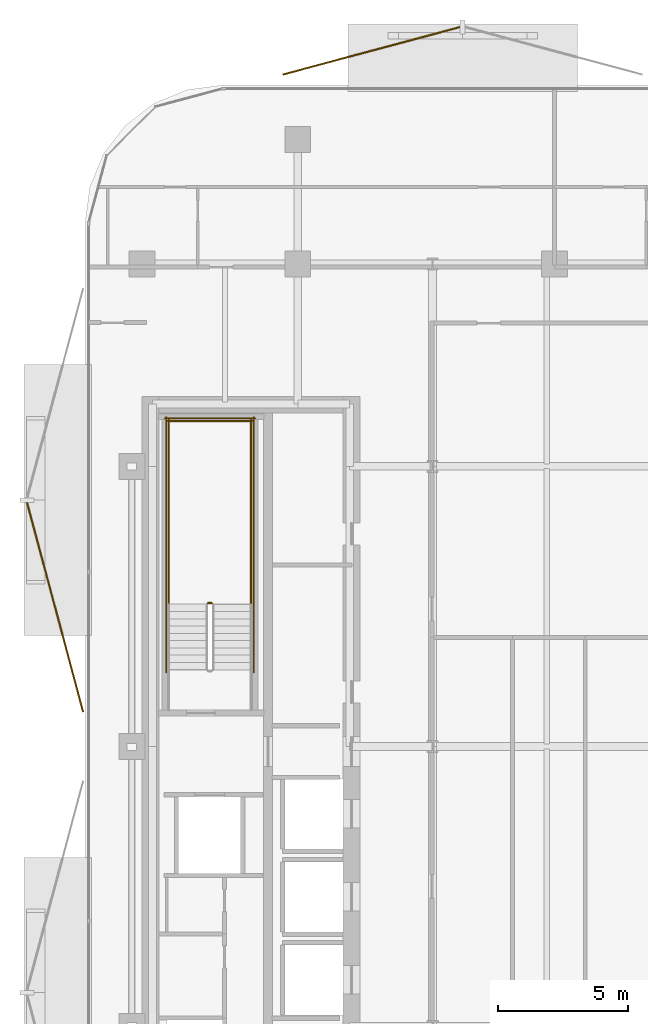
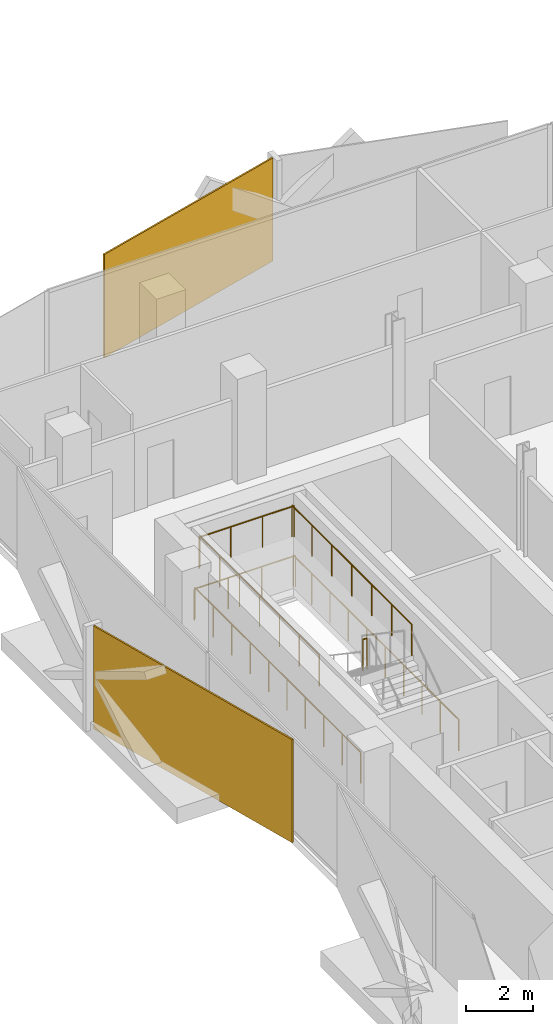
# One storey, part 16 of 17: 7 railings, 2 coverings.
"""IFC4 building model written with IfcOpenShell, lengths in metres."""

from ifc_helpers import new_model, si_unit, direction, frame, origin, origin_2d, place, context, subcontext, project, spatial, rectangle, circle, extrude, material, layer, layer_set, type_object, element, save


model = new_model("IFC4")

# Units and contexts
model_context = context("Model", 3, precision=1e-05, world=origin(), true_north=direction((0.0, 1.0)))
body_context = subcontext(model_context, "Body", "Model", "MODEL_VIEW")
ifc_project = project(units=[si_unit("LENGTHUNIT", "METRE"), si_unit("AREAUNIT", "SQUARE_METRE"), si_unit("VOLUMEUNIT", "CUBIC_METRE"), si_unit("PLANEANGLEUNIT", "RADIAN"), si_unit("MASSUNIT", "GRAM", prefix="KILO")], contexts=[model_context])

# Site, building, storey
site_placement = place(None, origin())
site = spatial("IfcSite", under=ifc_project, at=site_placement, CompositionType="ELEMENT")
building_placement = place(site_placement, origin())
building = spatial("IfcBuilding", under=site, at=building_placement, Name="Khairoan Windgate Tower", CompositionType="ELEMENT")
storey_placement = place(building_placement, frame((0.0, 0.0, 210.60009765625)))
storey = spatial("IfcBuildingStorey", under=building, at=storey_placement, Name="L49", CompositionType="ELEMENT", Elevation=210.60009765625)

# Coverings
ifc_material_1 = material(Name="Anodised Bronze Aluminium 6063-T6", Category="aluminium")
ifc_layer = layer(ifc_material_1, 0.054931640625, Name="Anodised Bronze Aluminium 6063-T6")
ifc_layer_set = layer_set([ifc_layer], Name="Anodised Bronze Aluminium 6063-T6")
covering_type = type_object("IfcCoveringType", Name="Perforated Bronze-Ceramic Folded Solar Screen Cladding BSC-1", PredefinedType="CLADDING", material=ifc_layer_set)
covering_1_placement = place(storey_placement, frame((-23.7587890625, 5.369873046875, -0.10009765625), z_axis=(0.0, 0.0, 1.0), x_axis=(-0.258819045103, 0.965925826289, 0.0)))
element("IfcCovering", 1, at=covering_1_placement, inside=storey, type_object=covering_type, Name="L49 Folded Bronze Solar Screen Facet 332L", PredefinedType="CLADDING", context=body_context, shape_type="SweptSolid", body=[
    extrude(rectangle(XDim=8.35595703125, YDim=0.054931640625, at=origin_2d()), origin(), (0.0, 0.0, 1.0), 3.739990234375),
])
covering_2_placement = place(storey_placement, frame((-11.5546875, 26.82373046875, -0.10009765625), z_axis=(0.0, 0.0, 1.0), x_axis=(0.965925826289, 0.258819045103, 0.0)))
element("IfcCovering", 2, at=covering_2_placement, inside=storey, type_object=covering_type, Name="L49 Folded Bronze Solar Screen Facet 333L", PredefinedType="CLADDING", context=body_context, shape_type="SweptSolid", body=[
    extrude(rectangle(XDim=7.080078125, YDim=0.054931640625, at=origin_2d()), origin(), (0.0, 0.0, 1.0), 3.739990234375),
])

# Railings
ifc_material_2 = material(Name="Steel S355", Category="steel")
railing_type = type_object("IfcRailingType", Name="Stairwell Safety Guardrail SGR-1150", PredefinedType="GUARDRAIL", material=ifc_material_2)
railing_1_placement = place(storey_placement, frame((-17.7099609375, 5.530029296875, 1.89990234375)))
element("IfcRailing", 3, at=railing_1_placement, inside=storey, type_object=railing_type, Name="L49 ST2 stair guard 2", PredefinedType="GUARDRAIL", context=body_context, shape_type="SweptSolid", body=[
    extrude(circle(Radius=0.02392578125, at=origin_2d()), frame((0.0, 0.0, 1.1259765625), z_axis=(-1.0, 0.0, 0.0), x_axis=(0.0, -1.0, 0.0)), (0.0, 0.0, 1.0), 0.150146484375),
    extrude(circle(Radius=0.02099609375, at=origin_2d()), origin(), (0.0, 0.0, 1.0), 1.101806640625),
    extrude(circle(Radius=0.02099609375, at=origin_2d()), frame((-0.150146484375, 0.0, 0.0)), (0.0, 0.0, 1.0), 1.101806640625),
])
for number, where, name in (
    (4, (-16.199951171875, 5.47998046875, 1.89990234375), "L49 ST2 stair guard 3"),
    (5, (-19.3701171875, 5.47998046875, 1.89990234375), "L49 ST2 stair guard 4"),
):
    element("IfcRailing", number, at=place(storey_placement, frame(where)), inside=storey, type_object=railing_type, Name=name, PredefinedType="GUARDRAIL", context=body_context, shape_type="SweptSolid", body=[
        extrude(circle(Radius=0.02392578125, at=origin_2d()), frame((0.0, 0.0, 1.1259765625), z_axis=(0.0, 1.0, 0.0), x_axis=(-1.0, 0.0, 0.0)), (0.0, 0.0, 1.0), 7.1201171875),
        extrude(circle(Radius=0.02099609375, at=origin_2d()), origin(), (0.0, 0.0, 1.0), 1.101806640625),
        extrude(circle(Radius=0.02099609375, at=origin_2d()), frame((0.0, 1.186767578125, 0.0)), (0.0, 0.0, 1.0), 1.101806640625),
        extrude(circle(Radius=0.02099609375, at=origin_2d()), frame((0.0, 2.373291015625, 0.0)), (0.0, 0.0, 1.0), 1.101806640625),
        extrude(circle(Radius=0.02099609375, at=origin_2d()), frame((0.0, 3.56005859375, 0.0)), (0.0, 0.0, 1.0), 1.101806640625),
        extrude(circle(Radius=0.02099609375, at=origin_2d()), frame((0.0, 4.746826171875, 0.0)), (0.0, 0.0, 1.0), 1.101806640625),
        extrude(circle(Radius=0.02099609375, at=origin_2d()), frame((0.0, 5.933349609375, 0.0)), (0.0, 0.0, 1.0), 1.101806640625),
        extrude(circle(Radius=0.02099609375, at=origin_2d()), frame((0.0, 7.1201171875, 0.0)), (0.0, 0.0, 1.0), 1.101806640625),
    ])
railing_2_placement = place(storey_placement, frame((-16.14990234375, 12.550048828125, 1.89990234375)))
element("IfcRailing", 6, at=railing_2_placement, inside=storey, type_object=railing_type, Name="L49 ST2 stair guard 5", PredefinedType="GUARDRAIL", context=body_context, shape_type="SweptSolid", body=[
    extrude(circle(Radius=0.02392578125, at=origin_2d()), frame((0.0, 0.0, 1.1259765625), z_axis=(-1.0, 0.0, 0.0), x_axis=(0.0, -1.0, 0.0)), (0.0, 0.0, 1.0), 3.27001953125),
    extrude(circle(Radius=0.02099609375, at=origin_2d()), origin(), (0.0, 0.0, 1.0), 1.101806640625),
    extrude(circle(Radius=0.02099609375, at=origin_2d()), frame((-1.090087890625, 0.0, 0.0)), (0.0, 0.0, 1.0), 1.101806640625),
    extrude(circle(Radius=0.02099609375, at=origin_2d()), frame((-2.179931640625, 0.0, 0.0)), (0.0, 0.0, 1.0), 1.101806640625),
    extrude(circle(Radius=0.02099609375, at=origin_2d()), frame((-3.27001953125, 0.0, 0.0)), (0.0, 0.0, 1.0), 1.101806640625),
])
for number, where, name in (
    (7, (-16.10009765625, 2.860107421875, 0.0), "L49 ST2 stair guard 10"),
    (8, (-19.469970703125, 2.860107421875, 0.0), "L49 ST2 stair guard 11"),
):
    element("IfcRailing", number, at=place(storey_placement, frame(where)), inside=storey, type_object=railing_type, Name=name, PredefinedType="GUARDRAIL", context=body_context, shape_type="SweptSolid", body=[
        extrude(circle(Radius=0.02392578125, at=origin_2d()), frame((0.0, 0.0, 1.1259765625), z_axis=(0.0, 1.0, 0.0), x_axis=(-1.0, 0.0, 0.0)), (0.0, 0.0, 1.0), 9.83984375),
        extrude(circle(Radius=0.02099609375, at=origin_2d()), origin(), (0.0, 0.0, 1.0), 1.101806640625),
        extrude(circle(Radius=0.02099609375, at=origin_2d()), frame((0.0, 1.09326171875, 0.0)), (0.0, 0.0, 1.0), 1.101806640625),
        extrude(circle(Radius=0.02099609375, at=origin_2d()), frame((0.0, 2.1865234375, 0.0)), (0.0, 0.0, 1.0), 1.101806640625),
        extrude(circle(Radius=0.02099609375, at=origin_2d()), frame((0.0, 3.280029296875, 0.0)), (0.0, 0.0, 1.0), 1.101806640625),
        extrude(circle(Radius=0.02099609375, at=origin_2d()), frame((0.0, 4.373291015625, 0.0)), (0.0, 0.0, 1.0), 1.101806640625),
        extrude(circle(Radius=0.02099609375, at=origin_2d()), frame((0.0, 5.466552734375, 0.0)), (0.0, 0.0, 1.0), 1.101806640625),
        extrude(circle(Radius=0.02099609375, at=origin_2d()), frame((0.0, 6.559814453125, 0.0)), (0.0, 0.0, 1.0), 1.101806640625),
        extrude(circle(Radius=0.02099609375, at=origin_2d()), frame((0.0, 7.6533203125, 0.0)), (0.0, 0.0, 1.0), 1.101806640625),
        extrude(circle(Radius=0.02099609375, at=origin_2d()), frame((0.0, 8.74658203125, 0.0)), (0.0, 0.0, 1.0), 1.101806640625),
        extrude(circle(Radius=0.02099609375, at=origin_2d()), frame((0.0, 9.83984375, 0.0)), (0.0, 0.0, 1.0), 1.101806640625),
    ])
railing_3_placement = place(storey_placement, frame((-16.050048828125, 12.64990234375, 0.0)))
element("IfcRailing", 9, at=railing_3_placement, inside=storey, type_object=railing_type, Name="L49 ST2 stair guard 12", PredefinedType="GUARDRAIL", context=body_context, shape_type="SweptSolid", body=[
    extrude(circle(Radius=0.02392578125, at=origin_2d()), frame((0.0, 0.0, 1.1259765625), z_axis=(-1.0, 0.0, 0.0), x_axis=(0.0, -1.0, 0.0)), (0.0, 0.0, 1.0), 3.469970703125),
    extrude(circle(Radius=0.02099609375, at=origin_2d()), origin(), (0.0, 0.0, 1.0), 1.101806640625),
    extrude(circle(Radius=0.02099609375, at=origin_2d()), frame((-1.15673828125, 0.0, 0.0)), (0.0, 0.0, 1.0), 1.101806640625),
    extrude(circle(Radius=0.02099609375, at=origin_2d()), frame((-2.313232421875, 0.0, 0.0)), (0.0, 0.0, 1.0), 1.101806640625),
    extrude(circle(Radius=0.02099609375, at=origin_2d()), frame((-3.469970703125, 0.0, 0.0)), (0.0, 0.0, 1.0), 1.101806640625),
])

save(model, "model.ifc")
